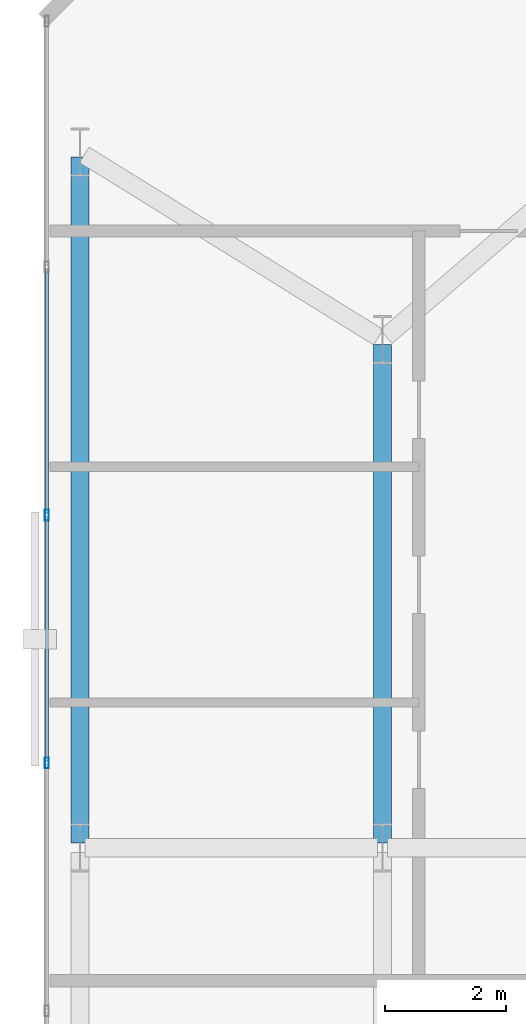
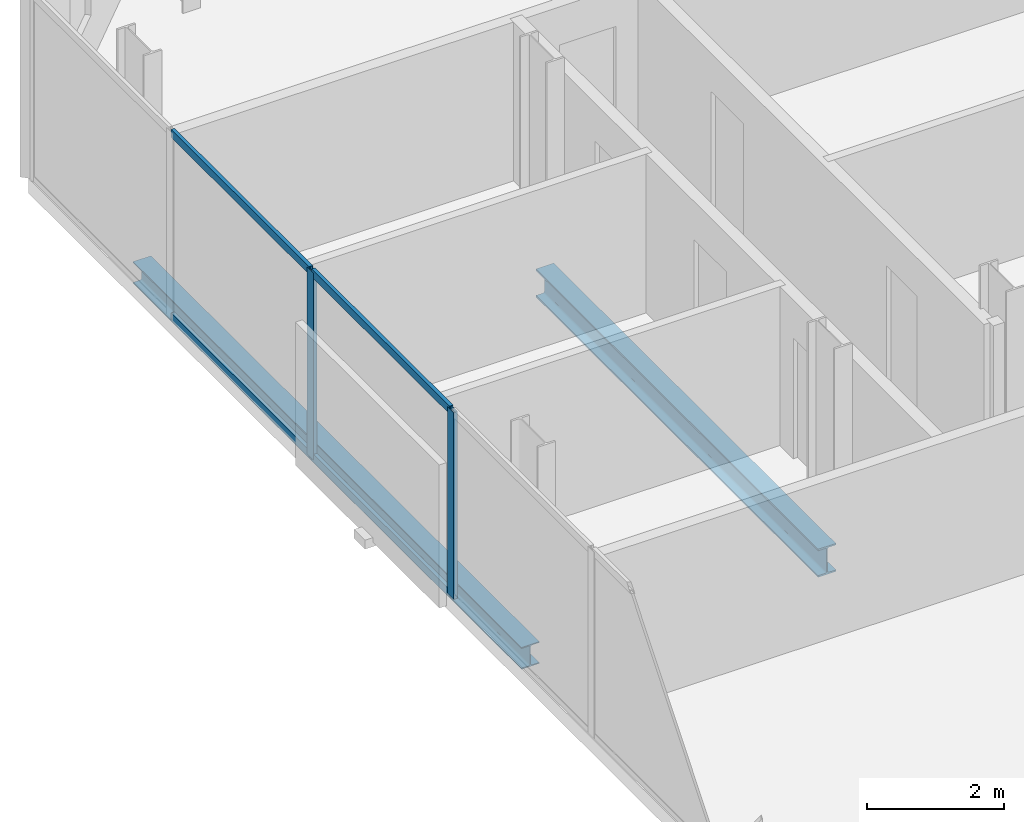
# One storey, part 17 of 32: 6 members, 2 beams, 1 element without a shape of its own.
"""IFC4 building model written with IfcOpenShell, lengths in metres."""

from ifc_helpers import new_model, si_unit, direction, frame, origin, origin_2d, place, context, subcontext, project, spatial, hollow_rectangle, i_section, extrude, material, layer, layer_set, material_profile, profile_set, type_object, element, aggregate, save


model = new_model("IFC4")

# Units and contexts
model_context = context("Model", 3, precision=1e-05, world=origin(), true_north=direction((0.0, 1.0)))
body_context = subcontext(model_context, "Body", "Model", "MODEL_VIEW")
ifc_project = project(units=[si_unit("LENGTHUNIT", "METRE"), si_unit("AREAUNIT", "SQUARE_METRE"), si_unit("VOLUMEUNIT", "CUBIC_METRE"), si_unit("PLANEANGLEUNIT", "RADIAN"), si_unit("MASSUNIT", "GRAM", prefix="KILO")], contexts=[model_context])

# Site, building, storey
site_placement = place(None, origin())
site = spatial("IfcSite", under=ifc_project, at=site_placement, CompositionType="ELEMENT")
building_placement = place(site_placement, origin())
building = spatial("IfcBuilding", under=site, at=building_placement, Name="Catumbela Crestline Tower", CompositionType="ELEMENT")
storey_placement = place(building_placement, frame((0.0, 0.0, 65.4)))
storey = spatial("IfcBuildingStorey", under=building, at=storey_placement, Name="L16", CompositionType="ELEMENT", Elevation=65.4)

# Beam
ifc_material_1 = material(Name="Structural steel S355J2", Category="steel")
ifc_material_profile_1 = material_profile(ifc_material_1, i_section(OverallWidth=0.3, OverallDepth=0.5, WebThickness=0.0145, FlangeThickness=0.028, FilletRadius=0.027, at=origin_2d()), Name="HEB 500")
ifc_profile_set_1 = profile_set([ifc_material_profile_1], Name="Structural steel S355J2")
beam_type_1 = type_object("IfcBeamType", Name="BG-HEB500", PredefinedType="BEAM", material=ifc_profile_set_1)
beam_1_placement = place(storey_placement, frame((5.6, 30.88, -0.51), z_axis=(0.0, 1.0, 0.0), x_axis=(-1.0, 0.0, 0.0)))
element("IfcBeam", 1, at=beam_1_placement, inside=storey, type_object=beam_type_1, Name="L16 Beam BM-L16-SN28", PredefinedType="BEAM", context=body_context, shape_type="SweptSolid", body=[
    extrude(i_section(OverallWidth=0.3, OverallDepth=0.5, WebThickness=0.0145, FlangeThickness=0.028, FilletRadius=0.027, at=origin_2d()), origin(), (0.0, 0.0, 1.0), 8.24),
])

# Curtain wall, members
ifc_material_2 = material(Name="Aluminium alloy AW-6060-T66", Category="aluminium")
ifc_layer = layer(ifc_material_2, 0.18, Name="Aluminium alloy AW-6060-T66")
ifc_layer_set = layer_set([ifc_layer], Name="Aluminium alloy AW-6060-T66")
curtain_wall_type = type_object("IfcCurtainWallType", Name="CWU-Z1", PredefinedType="USERDEFINED", material=ifc_layer_set)
curtain_wall_placement = place(storey_placement, origin())
curtain_wall = element("IfcCurtainWall", 2, at=curtain_wall_placement, inside=storey, type_object=curtain_wall_type, Name="L16 Unitised Curtain Wall CW-L16-E9S1", ObjectType="UNITISED", PredefinedType="USERDEFINED")
ifc_material_profile_2 = material_profile(ifc_material_2, hollow_rectangle(XDim=0.065, YDim=0.18, WallThickness=0.004, at=origin_2d()), Name="ALU 180x65x4")
ifc_profile_set_2 = profile_set([ifc_material_profile_2], Name="Aluminium alloy AW-6060-T66")
member_type_1 = type_object("IfcMemberType", Name="MUL-180X65", PredefinedType="MULLION", material=ifc_profile_set_2)
member_1_placement = place(storey_placement, frame((0.05, 36.3, 0.0), z_axis=(0.0, 0.0, 1.0), x_axis=(1.0, 0.0, 0.0)))
member_1 = element("IfcMember", 3, at=member_1_placement, type_object=member_type_1, Name="CWU-Z1 mullion 3", PredefinedType="MULLION", context=body_context, shape_type="SweptSolid", body=[
    extrude(hollow_rectangle(XDim=0.065, YDim=0.18, WallThickness=0.004, at=origin_2d()), origin(), (0.0, 0.0, 1.0), 3.33),
])
member_2_placement = place(storey_placement, frame((0.05, 32.2, 0.0), z_axis=(0.0, 0.0, 1.0), x_axis=(1.0, 0.0, 0.0)))
member_2 = element("IfcMember", 4, at=member_2_placement, type_object=member_type_1, Name="CWU-Z1 mullion 4", PredefinedType="MULLION", context=body_context, shape_type="SweptSolid", body=[
    extrude(hollow_rectangle(XDim=0.065, YDim=0.18, WallThickness=0.004, at=origin_2d()), origin(), (0.0, 0.0, 1.0), 3.33),
])

# Beam
ifc_material_profile_3 = material_profile(ifc_material_1, i_section(OverallWidth=0.3, OverallDepth=0.39, WebThickness=0.011, FlangeThickness=0.019, FilletRadius=0.027, at=origin_2d()), Name="HEA 400")
ifc_profile_set_3 = profile_set([ifc_material_profile_3], Name="Structural steel S355J2")
beam_type_2 = type_object("IfcBeamType", Name="BS-HEA400", PredefinedType="SPANDREL", material=ifc_profile_set_3)
beam_2_placement = place(storey_placement, frame((0.6, 30.88, -0.455), z_axis=(0.0, 1.0, 0.0), x_axis=(-1.0, 0.0, 0.0)))
element("IfcBeam", 5, at=beam_2_placement, inside=storey, type_object=beam_type_2, Name="L16 Spandrel SP-L16-SN26", PredefinedType="SPANDREL", context=body_context, shape_type="SweptSolid", body=[
    extrude(i_section(OverallWidth=0.3, OverallDepth=0.39, WebThickness=0.011, FlangeThickness=0.019, FilletRadius=0.027, at=origin_2d()), origin(), (0.0, 0.0, 1.0), 11.34),
])

# Member
ifc_material_profile_4 = material_profile(ifc_material_2, hollow_rectangle(XDim=0.06, YDim=0.14, WallThickness=0.004, at=origin_2d()), Name="ALU 140x60x4")
ifc_profile_set_4 = profile_set([ifc_material_profile_4], Name="Aluminium alloy AW-6060-T66")
member_type_2 = type_object("IfcMemberType", Name="TRN-140X60", PredefinedType="USERDEFINED", material=ifc_profile_set_4)
member_3_placement = place(storey_placement, frame((0.05, 40.3675, 0.03), z_axis=(0.0, -1.0, 0.0), x_axis=(1.0, 0.0, 0.0)))
member_3 = element("IfcMember", 6, at=member_3_placement, type_object=member_type_2, Name="CWU-Z1 transom 2.1", ObjectType="TRANSOM", PredefinedType="USERDEFINED", context=body_context, shape_type="SweptSolid", body=[
    extrude(hollow_rectangle(XDim=0.06, YDim=0.14, WallThickness=0.004, at=origin_2d()), origin(), (0.0, 0.0, 1.0), 4.035),
])

member_4_placement = place(storey_placement, frame((0.05, 40.3675, 3.3), z_axis=(0.0, -1.0, 0.0), x_axis=(1.0, 0.0, 0.0)))
member_4 = element("IfcMember", 7, at=member_4_placement, type_object=member_type_2, Name="CWU-Z1 transom 2.2", ObjectType="TRANSOM", PredefinedType="USERDEFINED", context=body_context, shape_type="SweptSolid", body=[
    extrude(hollow_rectangle(XDim=0.06, YDim=0.14, WallThickness=0.004, at=origin_2d()), origin(), (0.0, 0.0, 1.0), 4.035),
])

member_5_placement = place(storey_placement, frame((0.05, 36.2675, 0.03), z_axis=(0.0, -1.0, 0.0), x_axis=(1.0, 0.0, 0.0)))
member_5 = element("IfcMember", 8, at=member_5_placement, type_object=member_type_2, Name="CWU-Z1 transom 3.1", ObjectType="TRANSOM", PredefinedType="USERDEFINED", context=body_context, shape_type="SweptSolid", body=[
    extrude(hollow_rectangle(XDim=0.06, YDim=0.14, WallThickness=0.004, at=origin_2d()), origin(), (0.0, 0.0, 1.0), 4.035),
])

member_6_placement = place(storey_placement, frame((0.05, 36.2675, 3.3), z_axis=(0.0, -1.0, 0.0), x_axis=(1.0, 0.0, 0.0)))
member_6 = element("IfcMember", 9, at=member_6_placement, type_object=member_type_2, Name="CWU-Z1 transom 3.2", ObjectType="TRANSOM", PredefinedType="USERDEFINED", context=body_context, shape_type="SweptSolid", body=[
    extrude(hollow_rectangle(XDim=0.06, YDim=0.14, WallThickness=0.004, at=origin_2d()), origin(), (0.0, 0.0, 1.0), 4.035),
])

aggregate(curtain_wall, [member_1, member_2, member_3, member_4, member_5, member_6])

save(model, "model.ifc")
